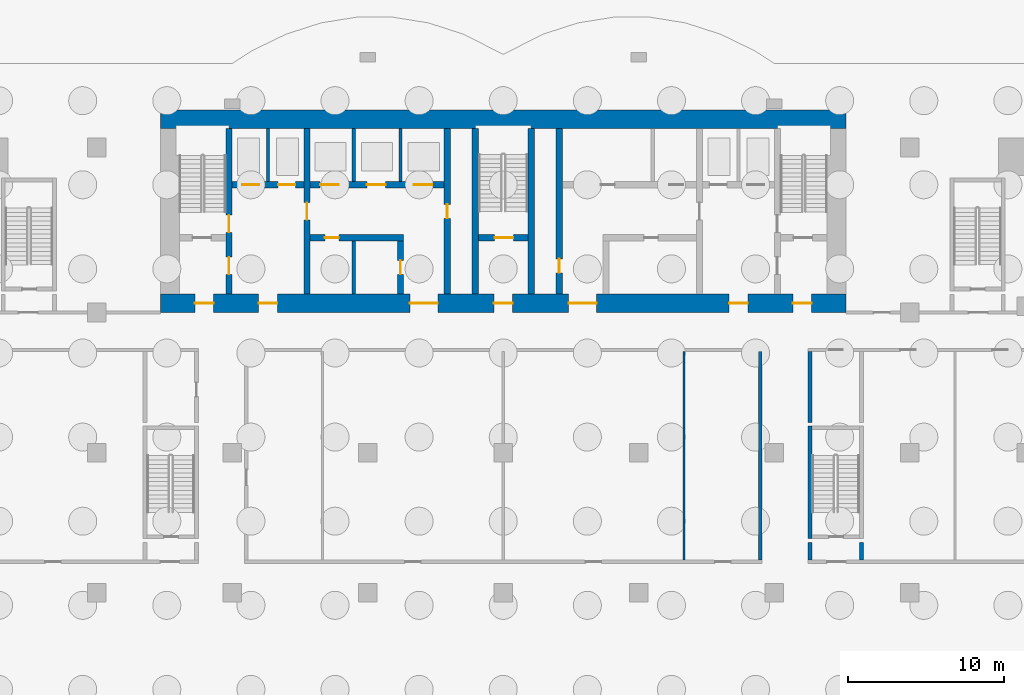
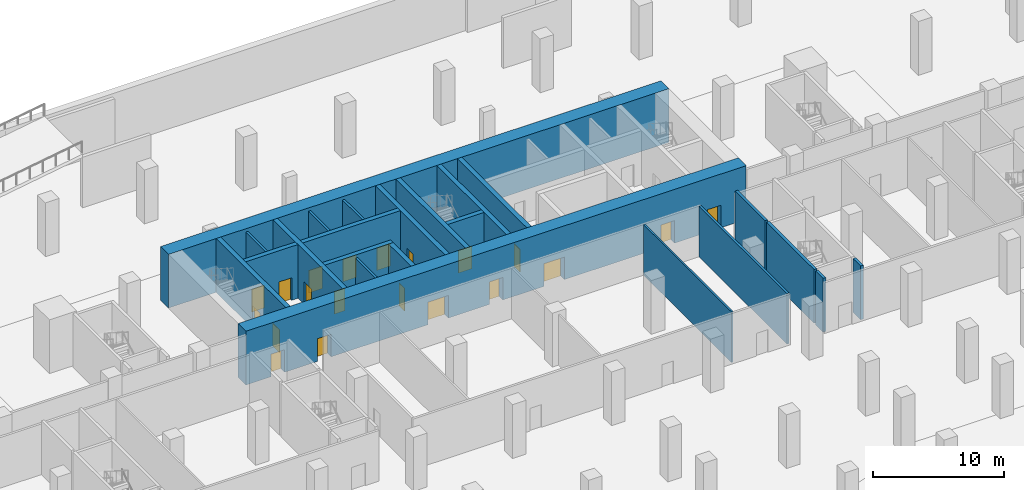
# One storey, part 4 of 10: 22 walls, 20 doors, 20 openings.
"""IFC4 building model written with IfcOpenShell, lengths in metres."""

from ifc_helpers import new_model, si_unit, direction, frame, frame_2d, origin, place, context, subcontext, project, spatial, rectangle, extrude, material, layer, layer_set, type_object, element, fill, save


model = new_model("IFC4")

# Units and contexts
model_context = context("Model", 3, precision=1e-05, world=origin(), true_north=direction((0.0, 1.0)))
body_context = subcontext(model_context, "Body", "Model", "MODEL_VIEW")
ifc_project = project(units=[si_unit("LENGTHUNIT", "METRE"), si_unit("AREAUNIT", "SQUARE_METRE"), si_unit("VOLUMEUNIT", "CUBIC_METRE"), si_unit("PLANEANGLEUNIT", "RADIAN"), si_unit("MASSUNIT", "GRAM", prefix="KILO")], contexts=[model_context])

# Site, building, storey
site_placement = place(None, origin())
site = spatial("IfcSite", under=ifc_project, at=site_placement, CompositionType="ELEMENT")
building_placement = place(site_placement, origin())
building = spatial("IfcBuilding", under=site, at=building_placement, Name="Bicima Exchange Tower", CompositionType="ELEMENT")
storey_placement = place(building_placement, frame((0.0, 0.0, -15.0)))
storey = spatial("IfcBuildingStorey", under=building, at=storey_placement, Name="B3", CompositionType="ELEMENT", Elevation=-15.0)

# Walls
ifc_material_1 = material(Name="Gypsum board partition")
ifc_layer_1 = layer(ifc_material_1, 0.199951171875)
ifc_layer_set_1 = layer_set([ifc_layer_1], Name="Gypsum board partition")
wall_type_1 = type_object("IfcWallType", Name="Fire-rated gypsum partition 200 EI120", PredefinedType="PARTITIONING", material=ifc_layer_set_1)
for number, where, z_axis, x_axis, name in (
    (1, (-15.10009765625, -4.60009765625, 0.0), (0.0, 0.0, 1.0), (0.0, 1.0, 0.0), "partition wall 9"),
    (2, (-9.60009765625, -4.60009765625, 0.0), (0.0, 0.0, 1.0), (0.0, 1.0, 0.0), "partition wall 12"),
    (3, (-6.60009765625, -4.60009765625, 0.0), (0.0, 0.0, 1.0), (0.0, 1.0, 0.0), "partition wall 14"),
):
    element("IfcWall", number, at=place(storey_placement, frame(where, z_axis=z_axis, x_axis=x_axis)), inside=storey, type_object=wall_type_1, Name=name, PredefinedType="PARTITIONING", context=body_context, shape_type="SweptSolid", body=[
        extrude(rectangle(XDim=3.400146484375, YDim=0.199951171875, at=frame_2d((1.7001953125, 0.0))), origin(), (0.0, 0.0, 1.0), 4.699951171875),
    ])
ifc_layer_2 = layer(ifc_material_1, 0.199951171875)
ifc_layer_set_2 = layer_set([ifc_layer_2], Name="Gypsum board partition")
wall_type_2 = type_object("IfcWallType", Name="Fire-rated gypsum partition 200 EI60", PredefinedType="PARTITIONING", material=ifc_layer_set_2)
wall_1_placement = place(storey_placement, frame((16.5, -28.89990234375, 0.0), z_axis=(0.0, 0.0, 1.0), x_axis=(0.0, 1.0, 0.0)))
element("IfcWall", 4, at=wall_1_placement, inside=storey, type_object=wall_type_2, Name="partition wall 35", PredefinedType="PARTITIONING", context=body_context, shape_type="SweptSolid", body=[
    extrude(rectangle(XDim=13.39990234375, YDim=0.199951171875, at=frame_2d((6.699951171875, 0.0))), origin(), (0.0, 0.0, 1.0), 4.699951171875),
])
wall_2_placement = place(storey_placement, frame((-9.60009765625, -11.800048828125, 0.0), z_axis=(0.0, 0.0, 1.0), x_axis=(0.0, 1.0, 0.0)))
element("IfcWall", 5, at=wall_2_placement, inside=storey, type_object=wall_type_2, Name="partition wall 11", PredefinedType="PARTITIONING", context=body_context, shape_type="SweptSolid", body=[
    extrude(rectangle(XDim=3.400146484375, YDim=0.199951171875, at=frame_2d((1.7001953125, 0.0))), origin(), (0.0, 0.0, 1.0), 4.699951171875),
])
ifc_layer_3 = layer(ifc_material_1, 0.14990234375)
ifc_layer_set_3 = layer_set([ifc_layer_3], Name="Gypsum board partition")
wall_type_3 = type_object("IfcWallType", Name="Gypsum partition 150", PredefinedType="PARTITIONING", material=ifc_layer_set_3)
wall_3_placement = place(storey_placement, frame((11.60009765625, -28.89990234375, 0.0), z_axis=(0.0, 0.0, 1.0), x_axis=(0.0, 1.0, 0.0)))
element("IfcWall", 6, at=wall_3_placement, inside=storey, type_object=wall_type_3, Name="partition wall 34", PredefinedType="PARTITIONING", context=body_context, shape_type="SweptSolid", body=[
    extrude(rectangle(XDim=13.39990234375, YDim=0.14990234375, at=frame_2d((6.699951171875, 0.0))), origin(), (0.0, 0.0, 1.0), 4.699951171875),
])
ifc_material_2 = material(Name="Concrete C60/75", Category="concrete")
ifc_layer_4 = layer(ifc_material_2, 1.199951171875)
ifc_layer_set_4 = layer_set([ifc_layer_4], Name="Concrete C60/75")
wall_type_4 = type_object("IfcWallType", Name="RC core wall 1200 C60/75", PredefinedType="SHEAR", material=ifc_layer_set_4)
wall_4_placement = place(storey_placement, frame((-22.0, -0.60009765625, 0.0), z_axis=(0.0, 0.0, 1.0), x_axis=(1.0, 0.0, 0.0)))
element("IfcWall", 7, at=wall_4_placement, inside=storey, type_object=wall_type_4, Name="Core wall north", PredefinedType="SHEAR", context=body_context, shape_type="SweptSolid", body=[
    extrude(rectangle(XDim=44.0, YDim=1.199951171875, at=frame_2d((22.0, 0.0))), origin(), (0.0, 0.0, 1.0), 5.0),
])

# Wall, openings, doors
wall_5_placement = place(storey_placement, frame((-22.0, -12.39990234375, 0.0), z_axis=(0.0, 0.0, 1.0), x_axis=(1.0, 0.0, 0.0)))
wall_5 = element("IfcWall", 8, at=wall_5_placement, inside=storey, type_object=wall_type_4, Name="Core wall south", PredefinedType="SHEAR", context=body_context, shape_type="SweptSolid", body=[
    extrude(rectangle(XDim=44.0, YDim=1.199951171875, at=frame_2d((22.0, 0.0))), origin(), (0.0, 0.0, 1.0), 5.0),
])
opening_1_placement = place(wall_5_placement, frame((2.199951171875, 0.0, 0.0)))
opening_1 = element("IfcOpeningElement", 9, at=opening_1_placement, cuts=wall_5, Name="Opening B3-C17", PredefinedType="OPENING", context=body_context, shape_type="SweptSolid", body=[
    extrude(rectangle(XDim=1.199951171875, YDim=2.10009765625, at=frame_2d((0.60009765625, 1.050048828125))), frame((0.0, 0.61181640625, 0.0), z_axis=(0.0, -1.0, 0.0), x_axis=(1.0, 0.0, 0.0)), (0.0, 0.0, 1.0), 1.223876953125),
])
opening_2_placement = place(wall_5_placement, frame((21.39990234375, 0.0, 0.0)))
opening_2 = element("IfcOpeningElement", 10, at=opening_2_placement, cuts=wall_5, Name="Opening B3-C18", PredefinedType="OPENING", context=body_context, shape_type="SweptSolid", body=[
    extrude(rectangle(XDim=1.199951171875, YDim=2.10009765625, at=frame_2d((0.60009765625, 1.050048828125))), frame((0.0, 0.61181640625, 0.0), z_axis=(0.0, -1.0, 0.0), x_axis=(1.0, 0.0, 0.0)), (0.0, 0.0, 1.0), 1.223876953125),
])
opening_3_placement = place(wall_5_placement, frame((40.60009765625, 0.0, 0.0)))
opening_3 = element("IfcOpeningElement", 11, at=opening_3_placement, cuts=wall_5, Name="Opening B3-C19", PredefinedType="OPENING", context=body_context, shape_type="SweptSolid", body=[
    extrude(rectangle(XDim=1.199951171875, YDim=2.10009765625, at=frame_2d((0.60009765625, 1.050048828125))), frame((0.0, 0.61181640625, 0.0), z_axis=(0.0, -1.0, 0.0), x_axis=(1.0, 0.0, 0.0)), (0.0, 0.0, 1.0), 1.223876953125),
])
opening_4_placement = place(wall_5_placement, frame((16.0, 0.0, 0.0)))
opening_4 = element("IfcOpeningElement", 12, at=opening_4_placement, cuts=wall_5, Name="Opening B3-C20", PredefinedType="OPENING", context=body_context, shape_type="SweptSolid", body=[
    extrude(rectangle(XDim=1.800048828125, YDim=2.10009765625, at=frame_2d((0.89990234375, 1.050048828125))), frame((0.0, 0.61181640625, 0.0), z_axis=(0.0, -1.0, 0.0), x_axis=(1.0, 0.0, 0.0)), (0.0, 0.0, 1.0), 1.223876953125),
])
opening_5_placement = place(wall_5_placement, frame((6.300048828125, 0.0, 0.0)))
opening_5 = element("IfcOpeningElement", 13, at=opening_5_placement, cuts=wall_5, Name="Opening B3-C21", PredefinedType="OPENING", context=body_context, shape_type="SweptSolid", body=[
    extrude(rectangle(XDim=1.199951171875, YDim=2.10009765625, at=frame_2d((0.60009765625, 1.050048828125))), frame((0.0, 0.61181640625, 0.0), z_axis=(0.0, -1.0, 0.0), x_axis=(1.0, 0.0, 0.0)), (0.0, 0.0, 1.0), 1.223876953125),
])
opening_6_placement = place(wall_5_placement, frame((26.199951171875, 0.0, 0.0)))
opening_6 = element("IfcOpeningElement", 14, at=opening_6_placement, cuts=wall_5, Name="Opening B3-C22", PredefinedType="OPENING", context=body_context, shape_type="SweptSolid", body=[
    extrude(rectangle(XDim=1.800048828125, YDim=2.10009765625, at=frame_2d((0.89990234375, 1.050048828125))), frame((0.0, 0.61181640625, 0.0), z_axis=(0.0, -1.0, 0.0), x_axis=(1.0, 0.0, 0.0)), (0.0, 0.0, 1.0), 1.223876953125),
])
opening_7_placement = place(wall_5_placement, frame((36.5, 0.0, 0.0)))
opening_7 = element("IfcOpeningElement", 15, at=opening_7_placement, cuts=wall_5, Name="Opening B3-C23", PredefinedType="OPENING", context=body_context, shape_type="SweptSolid", body=[
    extrude(rectangle(XDim=1.199951171875, YDim=2.10009765625, at=frame_2d((0.60009765625, 1.050048828125))), frame((0.0, 0.61181640625, 0.0), z_axis=(0.0, -1.0, 0.0), x_axis=(1.0, 0.0, 0.0)), (0.0, 0.0, 1.0), 1.223876953125),
])
ifc_material_3 = material(Name="Steel fire door leaf", Category="steel")
door_type_1 = type_object("IfcDoorType", Name="Door 1200 swing FD60S", OperationType="SINGLE_SWING_LEFT", PredefinedType="DOOR", material=ifc_material_3)
door_1_placement = place(opening_1_placement, frame((1.199951171875, 0.0, 0.0), z_axis=(0.0, 0.0, 1.0), x_axis=(-1.0, 0.0, 0.0)))
door_1 = element("IfcDoor", 16, at=door_1_placement, inside=storey, type_object=door_type_1, Name="Core door", OperationType="SINGLE_SWING_RIGHT", OverallHeight=2.10009765625, OverallWidth=1.199951171875, PredefinedType="DOOR", context=body_context, shape_type="SweptSolid", body=[
    extrude(rectangle(XDim=1.199951171875, YDim=2.10009765625, at=frame_2d((0.60009765625, 1.050048828125))), frame((0.0, 0.02490234375, 0.0), z_axis=(0.0, -1.0, 0.0), x_axis=(1.0, 0.0, 0.0)), (0.0, 0.0, 1.0), 0.050048828125),
])
fill(opening_1, door_1)
door_2_placement = place(opening_2_placement, frame((1.199951171875, 0.0, 0.0), z_axis=(0.0, 0.0, 1.0), x_axis=(-1.0, 0.0, 0.0)))
door_2 = element("IfcDoor", 17, at=door_2_placement, inside=storey, type_object=door_type_1, Name="Core door", OperationType="SINGLE_SWING_RIGHT", OverallHeight=2.10009765625, OverallWidth=1.199951171875, PredefinedType="DOOR", context=body_context, shape_type="SweptSolid", body=[
    extrude(rectangle(XDim=1.199951171875, YDim=2.10009765625, at=frame_2d((0.60009765625, 1.050048828125))), frame((0.0, 0.02490234375, 0.0), z_axis=(0.0, -1.0, 0.0), x_axis=(1.0, 0.0, 0.0)), (0.0, 0.0, 1.0), 0.050048828125),
])
fill(opening_2, door_2)
door_3_placement = place(opening_3_placement, frame((1.199951171875, 0.0, 0.0), z_axis=(0.0, 0.0, 1.0), x_axis=(-1.0, 0.0, 0.0)))
door_3 = element("IfcDoor", 18, at=door_3_placement, inside=storey, type_object=door_type_1, Name="Core door", OperationType="SINGLE_SWING_RIGHT", OverallHeight=2.10009765625, OverallWidth=1.199951171875, PredefinedType="DOOR", context=body_context, shape_type="SweptSolid", body=[
    extrude(rectangle(XDim=1.199951171875, YDim=2.10009765625, at=frame_2d((0.60009765625, 1.050048828125))), frame((0.0, 0.02490234375, 0.0), z_axis=(0.0, -1.0, 0.0), x_axis=(1.0, 0.0, 0.0)), (0.0, 0.0, 1.0), 0.050048828125),
])
fill(opening_3, door_3)
door_4_placement = place(opening_5_placement, frame((1.199951171875, 0.0, 0.0), z_axis=(0.0, 0.0, 1.0), x_axis=(-1.0, 0.0, 0.0)))
door_4 = element("IfcDoor", 19, at=door_4_placement, inside=storey, type_object=door_type_1, Name="Core door", OperationType="SINGLE_SWING_RIGHT", OverallHeight=2.10009765625, OverallWidth=1.199951171875, PredefinedType="DOOR", context=body_context, shape_type="SweptSolid", body=[
    extrude(rectangle(XDim=1.199951171875, YDim=2.10009765625, at=frame_2d((0.60009765625, 1.050048828125))), frame((0.0, 0.02490234375, 0.0), z_axis=(0.0, -1.0, 0.0), x_axis=(1.0, 0.0, 0.0)), (0.0, 0.0, 1.0), 0.050048828125),
])
fill(opening_5, door_4)
door_5_placement = place(opening_7_placement, frame((1.199951171875, 0.0, 0.0), z_axis=(0.0, 0.0, 1.0), x_axis=(-1.0, 0.0, 0.0)))
door_5 = element("IfcDoor", 20, at=door_5_placement, inside=storey, type_object=door_type_1, Name="Core door", OperationType="SINGLE_SWING_RIGHT", OverallHeight=2.10009765625, OverallWidth=1.199951171875, PredefinedType="DOOR", context=body_context, shape_type="SweptSolid", body=[
    extrude(rectangle(XDim=1.199951171875, YDim=2.10009765625, at=frame_2d((0.60009765625, 1.050048828125))), frame((0.0, 0.02490234375, 0.0), z_axis=(0.0, -1.0, 0.0), x_axis=(1.0, 0.0, 0.0)), (0.0, 0.0, 1.0), 0.050048828125),
])
fill(opening_7, door_5)
door_type_2 = type_object("IfcDoorType", Name="Door 1800 double swing FD30S", OperationType="DOUBLE_DOOR_SINGLE_SWING", PredefinedType="DOOR", material=ifc_material_3)
door_6_placement = place(opening_4_placement, origin())
door_6 = element("IfcDoor", 21, at=door_6_placement, inside=storey, type_object=door_type_2, Name="Core door", OperationType="SINGLE_SWING_LEFT", OverallHeight=2.10009765625, OverallWidth=1.800048828125, PredefinedType="DOOR", context=body_context, shape_type="SweptSolid", body=[
    extrude(rectangle(XDim=1.800048828125, YDim=2.10009765625, at=frame_2d((0.89990234375, 1.050048828125))), frame((0.0, 0.02490234375, 0.0), z_axis=(0.0, -1.0, 0.0), x_axis=(1.0, 0.0, 0.0)), (0.0, 0.0, 1.0), 0.050048828125),
])
fill(opening_4, door_6)
door_7_placement = place(opening_6_placement, origin())
door_7 = element("IfcDoor", 22, at=door_7_placement, inside=storey, type_object=door_type_2, Name="Core door", OperationType="SINGLE_SWING_LEFT", OverallHeight=2.10009765625, OverallWidth=1.800048828125, PredefinedType="DOOR", context=body_context, shape_type="SweptSolid", body=[
    extrude(rectangle(XDim=1.800048828125, YDim=2.10009765625, at=frame_2d((0.89990234375, 1.050048828125))), frame((0.0, 0.02490234375, 0.0), z_axis=(0.0, -1.0, 0.0), x_axis=(1.0, 0.0, 0.0)), (0.0, 0.0, 1.0), 0.050048828125),
])
fill(opening_6, door_7)

# Walls
ifc_material_4 = material(Name="Concrete C50/60", Category="concrete")
ifc_layer_5 = layer(ifc_material_4, 0.25)
ifc_layer_set_5 = layer_set([ifc_layer_5], Name="Concrete C50/60")
wall_type_5 = type_object("IfcWallType", Name="RC core wall 250 C50/60", PredefinedType="SHEAR", material=ifc_layer_set_5)
wall_6_placement = place(storey_placement, frame((19.699951171875, -28.89990234375, 0.0), z_axis=(0.0, 0.0, 1.0), x_axis=(0.0, 1.0, 0.0)))
element("IfcWall", 23, at=wall_6_placement, inside=storey, type_object=wall_type_5, Name="stair wall 36", PredefinedType="SHEAR", context=body_context, shape_type="SweptSolid", body=[
    extrude(rectangle(XDim=1.14990234375, YDim=0.25, at=frame_2d((0.574951171875, 0.0))), origin(), (0.0, 0.0, 1.0), 5.0),
])
wall_7_placement = place(storey_placement, frame((19.699951171875, -20.050048828125, 0.0), z_axis=(0.0, 0.0, 1.0), x_axis=(0.0, 1.0, 0.0)))
element("IfcWall", 24, at=wall_7_placement, inside=storey, type_object=wall_type_5, Name="stair wall 36", PredefinedType="SHEAR", context=body_context, shape_type="SweptSolid", body=[
    extrude(rectangle(XDim=4.550048828125, YDim=0.25, at=frame_2d((2.27490234375, 0.0))), origin(), (0.0, 0.0, 1.0), 5.0),
])
wall_8_placement = place(storey_placement, frame((23.0, -28.89990234375, 0.0), z_axis=(0.0, 0.0, 1.0), x_axis=(0.0, 1.0, 0.0)))
element("IfcWall", 25, at=wall_8_placement, inside=storey, type_object=wall_type_5, Name="stair wall 37", PredefinedType="SHEAR", context=body_context, shape_type="SweptSolid", body=[
    extrude(rectangle(XDim=1.14990234375, YDim=0.25, at=frame_2d((0.574951171875, 0.0))), origin(), (0.0, 0.0, 1.0), 5.0),
])

# Wall, opening, door
ifc_layer_6 = layer(ifc_material_4, 0.39990234375)
ifc_layer_set_6 = layer_set([ifc_layer_6], Name="Concrete C50/60")
wall_type_6 = type_object("IfcWallType", Name="RC core wall 400 C50/60", PredefinedType="SHEAR", material=ifc_layer_set_6)
wall_9_placement = place(storey_placement, frame((-1.60009765625, -8.199951171875, 0.0), z_axis=(0.0, 0.0, 1.0), x_axis=(1.0, 0.0, 0.0)))
wall_9 = element("IfcWall", 26, at=wall_9_placement, inside=storey, type_object=wall_type_6, Name="stair wall 3", PredefinedType="SHEAR", context=body_context, shape_type="SweptSolid", body=[
    extrude(rectangle(XDim=3.2001953125, YDim=0.39990234375, at=frame_2d((1.60009765625, 0.0))), origin(), (0.0, 0.0, 1.0), 5.0),
])
opening_8_placement = place(wall_9_placement, frame((1.050048828125, 0.0, 0.0)))
opening_8 = element("IfcOpeningElement", 27, at=opening_8_placement, cuts=wall_9, Name="Opening B3-C03", PredefinedType="OPENING", context=body_context, shape_type="SweptSolid", body=[
    extrude(rectangle(XDim=1.199951171875, YDim=2.10009765625, at=frame_2d((0.60009765625, 1.050048828125))), frame((0.0, 0.2119140625, 0.0), z_axis=(0.0, -1.0, 0.0), x_axis=(1.0, 0.0, 0.0)), (0.0, 0.0, 1.0), 0.423828125),
])
door_8_placement = place(opening_8_placement, origin())
door_8 = element("IfcDoor", 28, at=door_8_placement, inside=storey, type_object=door_type_1, Name="Core door", OperationType="SINGLE_SWING_LEFT", OverallHeight=2.10009765625, OverallWidth=1.199951171875, PredefinedType="DOOR", context=body_context, shape_type="SweptSolid", body=[
    extrude(rectangle(XDim=1.199951171875, YDim=2.10009765625, at=frame_2d((0.60009765625, 1.050048828125))), frame((0.0, 0.02490234375, 0.0), z_axis=(0.0, -1.0, 0.0), x_axis=(1.0, 0.0, 0.0)), (0.0, 0.0, 1.0), 0.050048828125),
])
fill(opening_8, door_8)

# Wall, openings, doors
wall_10_placement = place(storey_placement, frame((-17.60009765625, -11.800048828125, 0.0), z_axis=(0.0, 0.0, 1.0), x_axis=(0.0, 1.0, 0.0)))
wall_10 = element("IfcWall", 29, at=wall_10_placement, inside=storey, type_object=wall_type_6, Name="stair wall 8", PredefinedType="SHEAR", context=body_context, shape_type="SweptSolid", body=[
    extrude(rectangle(XDim=10.60009765625, YDim=0.39990234375, at=frame_2d((5.300048828125, 0.0))), origin(), (0.0, 0.0, 1.0), 5.0),
])
opening_9_placement = place(wall_10_placement, frame((1.25, 0.0, 0.0)))
opening_9 = element("IfcOpeningElement", 30, at=opening_9_placement, cuts=wall_10, Name="Opening B3-C02", PredefinedType="OPENING", context=body_context, shape_type="SweptSolid", body=[
    extrude(rectangle(XDim=1.10009765625, YDim=2.10009765625, at=frame_2d((0.550048828125, 1.050048828125))), frame((0.0, 0.2119140625, 0.0), z_axis=(0.0, -1.0, 0.0), x_axis=(1.0, 0.0, 0.0)), (0.0, 0.0, 1.0), 0.423828125),
])
opening_10_placement = place(wall_10_placement, frame((3.949951171875, 0.0, 0.0)))
opening_10 = element("IfcOpeningElement", 31, at=opening_10_placement, cuts=wall_10, Name="Opening B3-C06", PredefinedType="OPENING", context=body_context, shape_type="SweptSolid", body=[
    extrude(rectangle(XDim=1.10009765625, YDim=2.10009765625, at=frame_2d((0.550048828125, 1.050048828125))), frame((0.0, 0.2119140625, 0.0), z_axis=(0.0, -1.0, 0.0), x_axis=(1.0, 0.0, 0.0)), (0.0, 0.0, 1.0), 0.423828125),
])
door_type_3 = type_object("IfcDoorType", Name="Door 1100 swing FD60S", OperationType="SINGLE_SWING_LEFT", PredefinedType="DOOR", material=ifc_material_3)
door_9_placement = place(opening_9_placement, frame((1.10009765625, 0.0, 0.0), z_axis=(0.0, 0.0, 1.0), x_axis=(-1.0, 0.0, 0.0)))
door_9 = element("IfcDoor", 32, at=door_9_placement, inside=storey, type_object=door_type_3, Name="Core door", OperationType="SINGLE_SWING_LEFT", OverallHeight=2.10009765625, OverallWidth=1.10009765625, PredefinedType="DOOR", context=body_context, shape_type="SweptSolid", body=[
    extrude(rectangle(XDim=1.10009765625, YDim=2.10009765625, at=frame_2d((0.550048828125, 1.050048828125))), frame((0.0, 0.02490234375, 0.0), z_axis=(0.0, -1.0, 0.0), x_axis=(1.0, 0.0, 0.0)), (0.0, 0.0, 1.0), 0.050048828125),
])
fill(opening_9, door_9)
door_10_placement = place(opening_10_placement, frame((1.10009765625, 0.0, 0.0), z_axis=(0.0, 0.0, 1.0), x_axis=(-1.0, 0.0, 0.0)))
door_10 = element("IfcDoor", 33, at=door_10_placement, inside=storey, type_object=door_type_3, Name="Core door", OperationType="SINGLE_SWING_LEFT", OverallHeight=2.10009765625, OverallWidth=1.10009765625, PredefinedType="DOOR", context=body_context, shape_type="SweptSolid", body=[
    extrude(rectangle(XDim=1.10009765625, YDim=2.10009765625, at=frame_2d((0.550048828125, 1.050048828125))), frame((0.0, 0.02490234375, 0.0), z_axis=(0.0, -1.0, 0.0), x_axis=(1.0, 0.0, 0.0)), (0.0, 0.0, 1.0), 0.050048828125),
])
fill(opening_10, door_10)

# Walls
for number, where, z_axis, x_axis, name in (
    (34, (-1.800048828125, -11.800048828125, 0.0), (0.0, 0.0, 1.0), (0.0, 1.0, 0.0), "stair wall 16"),
    (35, (1.800048828125, -11.800048828125, 0.0), (0.0, 0.0, 1.0), (0.0, 1.0, 0.0), "stair wall 17"),
):
    element("IfcWall", number, at=place(storey_placement, frame(where, z_axis=z_axis, x_axis=x_axis)), inside=storey, type_object=wall_type_6, Name=name, PredefinedType="SHEAR", context=body_context, shape_type="SweptSolid", body=[
        extrude(rectangle(XDim=10.60009765625, YDim=0.39990234375, at=frame_2d((5.300048828125, 0.0))), origin(), (0.0, 0.0, 1.0), 5.0),
    ])

# Wall, opening, door
ifc_layer_7 = layer(ifc_material_2, 0.39990234375)
ifc_layer_set_7 = layer_set([ifc_layer_7], Name="Concrete C60/75")
wall_type_7 = type_object("IfcWallType", Name="RC core wall 400 C60/75", PredefinedType="SHEAR", material=ifc_layer_set_7)
wall_11_placement = place(storey_placement, frame((-12.39990234375, -8.199951171875, 0.0), z_axis=(0.0, 0.0, 1.0), x_axis=(1.0, 0.0, 0.0)))
wall_11 = element("IfcWall", 36, at=wall_11_placement, inside=storey, type_object=wall_type_7, Name="shear wall 2", PredefinedType="SHEAR", context=body_context, shape_type="SweptSolid", body=[
    extrude(rectangle(XDim=6.0, YDim=0.39990234375, at=frame_2d((3.0, 0.0))), origin(), (0.0, 0.0, 1.0), 5.0),
])
opening_11_placement = place(wall_11_placement, frame((0.949951171875, 0.0, 0.0)))
opening_11 = element("IfcOpeningElement", 37, at=opening_11_placement, cuts=wall_11, Name="Opening B3-C14", PredefinedType="OPENING", context=body_context, shape_type="SweptSolid", body=[
    extrude(rectangle(XDim=0.89990234375, YDim=2.10009765625, at=frame_2d((0.449951171875, 1.050048828125))), frame((0.0, 0.2119140625, 0.0), z_axis=(0.0, -1.0, 0.0), x_axis=(1.0, 0.0, 0.0)), (0.0, 0.0, 1.0), 0.423828125),
])
door_type_4 = type_object("IfcDoorType", Name="Door 900 swing FD30S", OperationType="SINGLE_SWING_LEFT", PredefinedType="DOOR", material=ifc_material_3)
door_11_placement = place(opening_11_placement, frame((0.89990234375, 0.0, 0.0), z_axis=(0.0, 0.0, 1.0), x_axis=(-1.0, 0.0, 0.0)))
door_11 = element("IfcDoor", 38, at=door_11_placement, inside=storey, type_object=door_type_4, Name="Core door", OperationType="SINGLE_SWING_LEFT", OverallHeight=2.10009765625, OverallWidth=0.89990234375, PredefinedType="DOOR", context=body_context, shape_type="SweptSolid", body=[
    extrude(rectangle(XDim=0.89990234375, YDim=2.10009765625, at=frame_2d((0.449951171875, 1.050048828125))), frame((0.0, 0.02490234375, 0.0), z_axis=(0.0, -1.0, 0.0), x_axis=(1.0, 0.0, 0.0)), (0.0, 0.0, 1.0), 0.050048828125),
])
fill(opening_11, door_11)

# Wall, openings, doors
wall_12_placement = place(storey_placement, frame((-17.39990234375, -4.800048828125, 0.0), z_axis=(0.0, 0.0, 1.0), x_axis=(1.0, 0.0, 0.0)))
wall_12 = element("IfcWall", 39, at=wall_12_placement, inside=storey, type_object=wall_type_7, Name="shear wall 6", PredefinedType="SHEAR", context=body_context, shape_type="SweptSolid", body=[
    extrude(rectangle(XDim=13.599853515625, YDim=0.39990234375, at=frame_2d((6.7998046875, 0.0))), origin(), (0.0, 0.0, 1.0), 5.0),
])
opening_12_placement = place(wall_12_placement, frame((0.64990234375, 0.0, 0.0)))
opening_12 = element("IfcOpeningElement", 40, at=opening_12_placement, cuts=wall_12, Name="Opening LD-FF1-B3", PredefinedType="OPENING", context=body_context, shape_type="SweptSolid", body=[
    extrude(rectangle(XDim=1.10009765625, YDim=2.10009765625, at=frame_2d((0.550048828125, 1.050048828125))), frame((0.0, 0.2119140625, 0.0), z_axis=(0.0, -1.0, 0.0), x_axis=(1.0, 0.0, 0.0)), (0.0, 0.0, 1.0), 0.423828125),
])
opening_13_placement = place(wall_12_placement, frame((2.949951171875, 0.0, 0.0)))
opening_13 = element("IfcOpeningElement", 41, at=opening_13_placement, cuts=wall_12, Name="Opening LD-FF3-B3", PredefinedType="OPENING", context=body_context, shape_type="SweptSolid", body=[
    extrude(rectangle(XDim=1.10009765625, YDim=2.10009765625, at=frame_2d((0.550048828125, 1.050048828125))), frame((0.0, 0.2119140625, 0.0), z_axis=(0.0, -1.0, 0.0), x_axis=(1.0, 0.0, 0.0)), (0.0, 0.0, 1.0), 0.423828125),
])
opening_14_placement = place(wall_12_placement, frame((5.64990234375, 0.0, 0.0)))
opening_14 = element("IfcOpeningElement", 42, at=opening_14_placement, cuts=wall_12, Name="Opening LD-LB1-B3", PredefinedType="OPENING", context=body_context, shape_type="SweptSolid", body=[
    extrude(rectangle(XDim=1.199951171875, YDim=2.10009765625, at=frame_2d((0.60009765625, 1.050048828125))), frame((0.0, 0.2119140625, 0.0), z_axis=(0.0, -1.0, 0.0), x_axis=(1.0, 0.0, 0.0)), (0.0, 0.0, 1.0), 0.423828125),
])
opening_15_placement = place(wall_12_placement, frame((8.64990234375, 0.0, 0.0)))
opening_15 = element("IfcOpeningElement", 43, at=opening_15_placement, cuts=wall_12, Name="Opening LD-LB2-B3", PredefinedType="OPENING", context=body_context, shape_type="SweptSolid", body=[
    extrude(rectangle(XDim=1.199951171875, YDim=2.10009765625, at=frame_2d((0.60009765625, 1.050048828125))), frame((0.0, 0.2119140625, 0.0), z_axis=(0.0, -1.0, 0.0), x_axis=(1.0, 0.0, 0.0)), (0.0, 0.0, 1.0), 0.423828125),
])
opening_16_placement = place(wall_12_placement, frame((11.64990234375, 0.0, 0.0)))
opening_16 = element("IfcOpeningElement", 44, at=opening_16_placement, cuts=wall_12, Name="Opening LD-LB3-B3", PredefinedType="OPENING", context=body_context, shape_type="SweptSolid", body=[
    extrude(rectangle(XDim=1.199951171875, YDim=2.10009765625, at=frame_2d((0.60009765625, 1.050048828125))), frame((0.0, 0.2119140625, 0.0), z_axis=(0.0, -1.0, 0.0), x_axis=(1.0, 0.0, 0.0)), (0.0, 0.0, 1.0), 0.423828125),
])
ifc_material_5 = material(Name="Stainless steel", Category="steel")
door_type_5 = type_object("IfcDoorType", Name="Lift landing door 1100 sliding", OperationType="DOUBLE_DOOR_SLIDING", PredefinedType="DOOR", material=ifc_material_5)
door_12_placement = place(opening_12_placement, origin())
door_12 = element("IfcDoor", 45, at=door_12_placement, inside=storey, type_object=door_type_5, Name="Lift landing door FF1", OperationType="DOUBLE_DOOR_SLIDING", OverallHeight=2.10009765625, OverallWidth=1.10009765625, PredefinedType="DOOR", context=body_context, shape_type="SweptSolid", body=[
    extrude(rectangle(XDim=1.10009765625, YDim=2.10009765625, at=frame_2d((0.550048828125, 1.050048828125))), frame((0.0, 0.02490234375, 0.0), z_axis=(0.0, -1.0, 0.0), x_axis=(1.0, 0.0, 0.0)), (0.0, 0.0, 1.0), 0.050048828125),
])
fill(opening_12, door_12)
door_13_placement = place(opening_13_placement, origin())
door_13 = element("IfcDoor", 46, at=door_13_placement, inside=storey, type_object=door_type_5, Name="Lift landing door FF3", OperationType="DOUBLE_DOOR_SLIDING", OverallHeight=2.10009765625, OverallWidth=1.10009765625, PredefinedType="DOOR", context=body_context, shape_type="SweptSolid", body=[
    extrude(rectangle(XDim=1.10009765625, YDim=2.10009765625, at=frame_2d((0.550048828125, 1.050048828125))), frame((0.0, 0.02490234375, 0.0), z_axis=(0.0, -1.0, 0.0), x_axis=(1.0, 0.0, 0.0)), (0.0, 0.0, 1.0), 0.050048828125),
])
fill(opening_13, door_13)
door_type_6 = type_object("IfcDoorType", Name="Lift landing door 1200 sliding", OperationType="DOUBLE_DOOR_SLIDING", PredefinedType="DOOR", material=ifc_material_5)
door_14_placement = place(opening_14_placement, origin())
door_14 = element("IfcDoor", 47, at=door_14_placement, inside=storey, type_object=door_type_6, Name="Lift landing door LB1", OperationType="DOUBLE_DOOR_SLIDING", OverallHeight=2.10009765625, OverallWidth=1.199951171875, PredefinedType="DOOR", context=body_context, shape_type="SweptSolid", body=[
    extrude(rectangle(XDim=1.199951171875, YDim=2.10009765625, at=frame_2d((0.60009765625, 1.050048828125))), frame((0.0, 0.02490234375, 0.0), z_axis=(0.0, -1.0, 0.0), x_axis=(1.0, 0.0, 0.0)), (0.0, 0.0, 1.0), 0.050048828125),
])
fill(opening_14, door_14)
door_15_placement = place(opening_15_placement, origin())
door_15 = element("IfcDoor", 48, at=door_15_placement, inside=storey, type_object=door_type_6, Name="Lift landing door LB2", OperationType="DOUBLE_DOOR_SLIDING", OverallHeight=2.10009765625, OverallWidth=1.199951171875, PredefinedType="DOOR", context=body_context, shape_type="SweptSolid", body=[
    extrude(rectangle(XDim=1.199951171875, YDim=2.10009765625, at=frame_2d((0.60009765625, 1.050048828125))), frame((0.0, 0.02490234375, 0.0), z_axis=(0.0, -1.0, 0.0), x_axis=(1.0, 0.0, 0.0)), (0.0, 0.0, 1.0), 0.050048828125),
])
fill(opening_15, door_15)
door_16_placement = place(opening_16_placement, origin())
door_16 = element("IfcDoor", 49, at=door_16_placement, inside=storey, type_object=door_type_6, Name="Lift landing door LB3", OperationType="DOUBLE_DOOR_SLIDING", OverallHeight=2.10009765625, OverallWidth=1.199951171875, PredefinedType="DOOR", context=body_context, shape_type="SweptSolid", body=[
    extrude(rectangle(XDim=1.199951171875, YDim=2.10009765625, at=frame_2d((0.60009765625, 1.050048828125))), frame((0.0, 0.02490234375, 0.0), z_axis=(0.0, -1.0, 0.0), x_axis=(1.0, 0.0, 0.0)), (0.0, 0.0, 1.0), 0.050048828125),
])
fill(opening_16, door_16)

# Wall, opening, door
wall_13_placement = place(storey_placement, frame((-12.60009765625, -11.800048828125, 0.0), z_axis=(0.0, 0.0, 1.0), x_axis=(0.0, 1.0, 0.0)))
wall_13 = element("IfcWall", 50, at=wall_13_placement, inside=storey, type_object=wall_type_7, Name="shear wall 10", PredefinedType="SHEAR", context=body_context, shape_type="SweptSolid", body=[
    extrude(rectangle(XDim=10.60009765625, YDim=0.39990234375, at=frame_2d((5.300048828125, 0.0))), origin(), (0.0, 0.0, 1.0), 5.0),
])
opening_17_placement = place(wall_13_placement, frame((4.75, 0.0, 0.0)))
opening_17 = element("IfcOpeningElement", 51, at=opening_17_placement, cuts=wall_13, Name="Opening B3-C07", PredefinedType="OPENING", context=body_context, shape_type="SweptSolid", body=[
    extrude(rectangle(XDim=1.10009765625, YDim=2.10009765625, at=frame_2d((0.550048828125, 1.050048828125))), frame((0.0, 0.2119140625, 0.0), z_axis=(0.0, -1.0, 0.0), x_axis=(1.0, 0.0, 0.0)), (0.0, 0.0, 1.0), 0.423828125),
])
door_17_placement = place(opening_17_placement, origin())
door_17 = element("IfcDoor", 52, at=door_17_placement, inside=storey, type_object=door_type_3, Name="Core door", OperationType="SINGLE_SWING_LEFT", OverallHeight=2.10009765625, OverallWidth=1.10009765625, PredefinedType="DOOR", context=body_context, shape_type="SweptSolid", body=[
    extrude(rectangle(XDim=1.10009765625, YDim=2.10009765625, at=frame_2d((0.550048828125, 1.050048828125))), frame((0.0, 0.02490234375, 0.0), z_axis=(0.0, -1.0, 0.0), x_axis=(1.0, 0.0, 0.0)), (0.0, 0.0, 1.0), 0.050048828125),
])
fill(opening_17, door_17)

wall_14_placement = place(storey_placement, frame((-6.60009765625, -11.800048828125, 0.0), z_axis=(0.0, 0.0, 1.0), x_axis=(0.0, 1.0, 0.0)))
wall_14 = element("IfcWall", 53, at=wall_14_placement, inside=storey, type_object=wall_type_7, Name="shear wall 13", PredefinedType="SHEAR", context=body_context, shape_type="SweptSolid", body=[
    extrude(rectangle(XDim=3.400146484375, YDim=0.39990234375, at=frame_2d((1.7001953125, 0.0))), origin(), (0.0, 0.0, 1.0), 5.0),
])
opening_18_placement = place(wall_14_placement, frame((1.25, 0.0, 0.0)))
opening_18 = element("IfcOpeningElement", 54, at=opening_18_placement, cuts=wall_14, Name="Opening B3-C15", PredefinedType="OPENING", context=body_context, shape_type="SweptSolid", body=[
    extrude(rectangle(XDim=0.89990234375, YDim=2.10009765625, at=frame_2d((0.449951171875, 1.050048828125))), frame((0.0, 0.2119140625, 0.0), z_axis=(0.0, -1.0, 0.0), x_axis=(1.0, 0.0, 0.0)), (0.0, 0.0, 1.0), 0.423828125),
])
door_18_placement = place(opening_18_placement, origin())
door_18 = element("IfcDoor", 55, at=door_18_placement, inside=storey, type_object=door_type_4, Name="Core door", OperationType="SINGLE_SWING_LEFT", OverallHeight=2.10009765625, OverallWidth=0.89990234375, PredefinedType="DOOR", context=body_context, shape_type="SweptSolid", body=[
    extrude(rectangle(XDim=0.89990234375, YDim=2.10009765625, at=frame_2d((0.449951171875, 1.050048828125))), frame((0.0, 0.02490234375, 0.0), z_axis=(0.0, -1.0, 0.0), x_axis=(1.0, 0.0, 0.0)), (0.0, 0.0, 1.0), 0.050048828125),
])
fill(opening_18, door_18)

wall_15_placement = place(storey_placement, frame((-3.60009765625, -11.800048828125, 0.0), z_axis=(0.0, 0.0, 1.0), x_axis=(0.0, 1.0, 0.0)))
wall_15 = element("IfcWall", 56, at=wall_15_placement, inside=storey, type_object=wall_type_7, Name="shear wall 15", PredefinedType="SHEAR", context=body_context, shape_type="SweptSolid", body=[
    extrude(rectangle(XDim=10.60009765625, YDim=0.39990234375, at=frame_2d((5.300048828125, 0.0))), origin(), (0.0, 0.0, 1.0), 5.0),
])
opening_19_placement = place(wall_15_placement, frame((4.85009765625, 0.0, 0.0)))
opening_19 = element("IfcOpeningElement", 57, at=opening_19_placement, cuts=wall_15, Name="Opening B3-C10", PredefinedType="OPENING", context=body_context, shape_type="SweptSolid", body=[
    extrude(rectangle(XDim=0.89990234375, YDim=2.10009765625, at=frame_2d((0.449951171875, 1.050048828125))), frame((0.0, 0.2119140625, 0.0), z_axis=(0.0, -1.0, 0.0), x_axis=(1.0, 0.0, 0.0)), (0.0, 0.0, 1.0), 0.423828125),
])
door_19_placement = place(opening_19_placement, frame((0.89990234375, 0.0, 0.0), z_axis=(0.0, 0.0, 1.0), x_axis=(-1.0, 0.0, 0.0)))
door_19 = element("IfcDoor", 58, at=door_19_placement, inside=storey, type_object=door_type_4, Name="Core door", OperationType="SINGLE_SWING_LEFT", OverallHeight=2.10009765625, OverallWidth=0.89990234375, PredefinedType="DOOR", context=body_context, shape_type="SweptSolid", body=[
    extrude(rectangle(XDim=0.89990234375, YDim=2.10009765625, at=frame_2d((0.449951171875, 1.050048828125))), frame((0.0, 0.02490234375, 0.0), z_axis=(0.0, -1.0, 0.0), x_axis=(1.0, 0.0, 0.0)), (0.0, 0.0, 1.0), 0.050048828125),
])
fill(opening_19, door_19)

wall_16_placement = place(storey_placement, frame((3.60009765625, -11.800048828125, 0.0), z_axis=(0.0, 0.0, 1.0), x_axis=(0.0, 1.0, 0.0)))
wall_16 = element("IfcWall", 59, at=wall_16_placement, inside=storey, type_object=wall_type_7, Name="shear wall 18", PredefinedType="SHEAR", context=body_context, shape_type="SweptSolid", body=[
    extrude(rectangle(XDim=10.60009765625, YDim=0.39990234375, at=frame_2d((5.300048828125, 0.0))), origin(), (0.0, 0.0, 1.0), 5.0),
])
opening_20_placement = place(wall_16_placement, frame((1.35009765625, 0.0, 0.0)))
opening_20 = element("IfcOpeningElement", 60, at=opening_20_placement, cuts=wall_16, Name="Opening B3-C11", PredefinedType="OPENING", context=body_context, shape_type="SweptSolid", body=[
    extrude(rectangle(XDim=0.89990234375, YDim=2.10009765625, at=frame_2d((0.449951171875, 1.050048828125))), frame((0.0, 0.2119140625, 0.0), z_axis=(0.0, -1.0, 0.0), x_axis=(1.0, 0.0, 0.0)), (0.0, 0.0, 1.0), 0.423828125),
])
door_20_placement = place(opening_20_placement, origin())
door_20 = element("IfcDoor", 61, at=door_20_placement, inside=storey, type_object=door_type_4, Name="Core door", OperationType="SINGLE_SWING_LEFT", OverallHeight=2.10009765625, OverallWidth=0.89990234375, PredefinedType="DOOR", context=body_context, shape_type="SweptSolid", body=[
    extrude(rectangle(XDim=0.89990234375, YDim=2.10009765625, at=frame_2d((0.449951171875, 1.050048828125))), frame((0.0, 0.02490234375, 0.0), z_axis=(0.0, -1.0, 0.0), x_axis=(1.0, 0.0, 0.0)), (0.0, 0.0, 1.0), 0.050048828125),
])
fill(opening_20, door_20)

# Wall
ifc_layer_8 = layer(ifc_material_4, 0.25)
ifc_layer_set_8 = layer_set([ifc_layer_8], Name="Concrete C50/60")
wall_type_8 = type_object("IfcWallType", Name="RC stair enclosure wall 250 C50/60", PredefinedType="SHEAR", material=ifc_layer_set_8)
wall_17_placement = place(storey_placement, frame((19.699951171875, -27.52490234375, 0.0), z_axis=(0.0, 0.0, 1.0), x_axis=(0.0, 1.0, 0.0)))
element("IfcWall", 62, at=wall_17_placement, inside=storey, type_object=wall_type_8, Name="Podium inner east stair wall W", PredefinedType="SHEAR", context=body_context, shape_type="SweptSolid", body=[
    extrude(rectangle(XDim=7.25, YDim=0.25, at=frame_2d((3.625, 0.0))), origin(), (0.0, 0.0, 1.0), 5.0),
])

save(model, "model.ifc")
